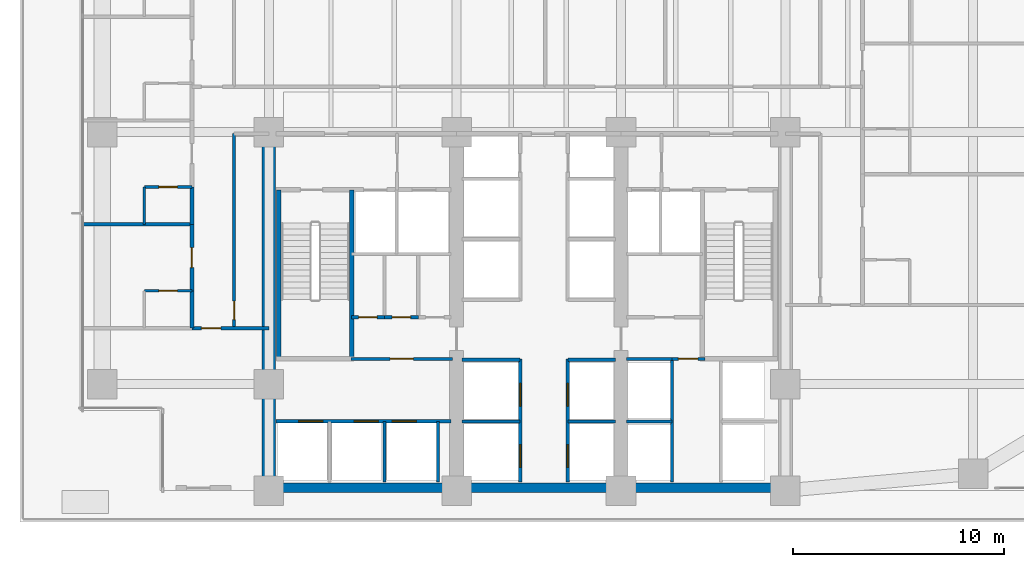
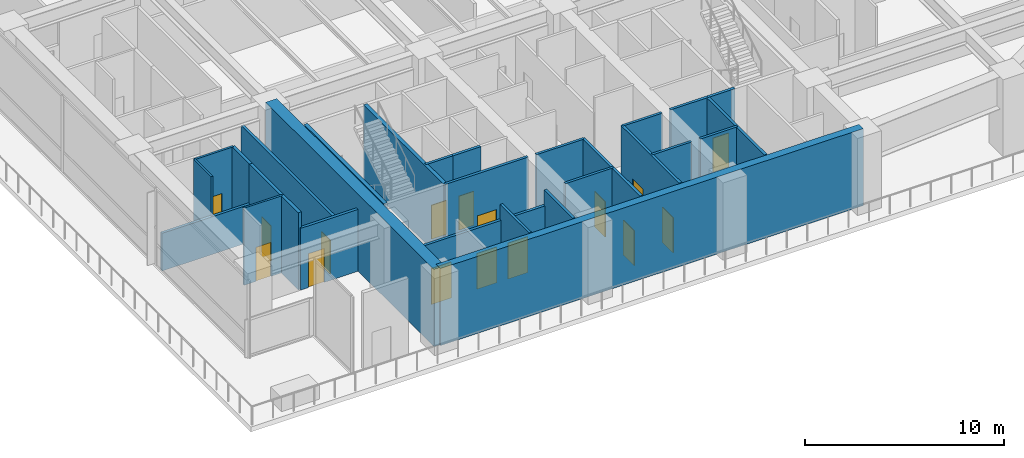
# One storey, part 7 of 19: 29 walls, 16 doors, 16 openings.
"""IFC4 building model written with IfcOpenShell, lengths in metres."""

import ifcopenshell
import ifcopenshell.guid

model = None  # the IFC model being written
_history = None  # IfcOwnerHistory: only IFC2X3 demands one
_inside = {}  # id of a spatial element -> (the spatial element, [elements in it])
_under = {}  # id of a project, library or spatial element -> (it, [spatial elements below it])
_declared = {}  # id of a project -> (the project, [libraries it declares])
_typed = {}  # id of a type object -> (the type object, [elements of that type])
_made_of = {}  # id of a material, layer set ... -> (it, [elements and type objects made of it])


def new_model(schema):
    """Start an empty IFC model of exactly this schema.

    Asked for "IFC4X3", IfcOpenShell would pick the latest addendum, in which some entities
    have other attributes; the version numbers below select the first issue.
    IFC2X3 requires an IfcOwnerHistory on every rooted entity: one is made here for all.
    """
    global model, _history
    if schema == "IFC4X3":
        model = ifcopenshell.file(schema_version=(4, 3, 0, 0))
    else:
        model = ifcopenshell.file(schema=schema)
    _inside.clear()
    _under.clear()
    _declared.clear()
    _typed.clear()
    _made_of.clear()
    _history = None
    if model.schema == "IFC2X3":
        org = make("IfcOrganization", Name="unknown")
        user = make(
            "IfcPersonAndOrganization",
            ThePerson=make("IfcPerson", FamilyName="unknown"),
            TheOrganization=org,
        )
        app = make(
            "IfcApplication",
            ApplicationDeveloper=org,
            Version="unknown",
            ApplicationFullName="unknown",
            ApplicationIdentifier="unknown",
        )
        _history = make(
            "IfcOwnerHistory",
            OwningUser=user,
            OwningApplication=app,
            ChangeAction="ADDED",
            CreationDate=0,
        )
    return model


def make(cls, **values):
    """One entity of the class cls with the attributes given. An attribute that is None is left unset."""
    return model.create_entity(
        cls, **{name: value for name, value in values.items() if value is not None}
    )


def rooted(cls, **values):
    """An entity with a GlobalId (a new one), such as an element, a storey or a relation."""
    return make(cls, GlobalId=ifcopenshell.guid.new(), OwnerHistory=_history, **values)


def si_unit(unit_type, name, prefix=None):
    """IfcSIUnit, for example si_unit("LENGTHUNIT", "METRE", prefix="MILLI")."""
    return make("IfcSIUnit", UnitType=unit_type, Prefix=prefix, Name=name)


def assignment(units):
    """IfcUnitAssignment: the units of a project."""
    return None if units is None else make("IfcUnitAssignment", Units=units)


def point(xyz):
    """IfcCartesianPoint."""
    return None if xyz is None else make("IfcCartesianPoint", Coordinates=xyz)


def direction(xyz):
    """IfcDirection."""
    return None if xyz is None else make("IfcDirection", DirectionRatios=xyz)


def frame(location, z_axis=None, x_axis=None):
    """IfcAxis2Placement3D, a coordinate frame: its origin and axes. An axis left out is left unset."""
    return make(
        "IfcAxis2Placement3D",
        Location=point(location),
        Axis=direction(z_axis),
        RefDirection=direction(x_axis),
    )


def frame_2d(location, x_axis=None):
    """IfcAxis2Placement2D, a coordinate frame in the plane: its origin and x axis."""
    return make(
        "IfcAxis2Placement2D", Location=point(location), RefDirection=direction(x_axis)
    )


def origin():
    """The frame at (0, 0, 0) with its axes left unset."""
    return frame((0.0, 0.0, 0.0))


def place(relative_to, where):
    """IfcLocalPlacement: puts the frame where relative to a parent placement (None: the world)."""
    return make(
        "IfcLocalPlacement", PlacementRelTo=relative_to, RelativePlacement=where
    )


def context(
    kind, dimensions, precision=None, world=None, true_north=None, identifier=None
):
    """IfcGeometricRepresentationContext, for example the 3D "Model" context."""
    return make(
        "IfcGeometricRepresentationContext",
        ContextIdentifier=identifier,
        ContextType=kind,
        CoordinateSpaceDimension=dimensions,
        Precision=precision,
        WorldCoordinateSystem=world,
        TrueNorth=true_north,
    )


def subcontext(parent, identifier, kind, view, scale=None):
    """IfcGeometricRepresentationSubContext, for example "Body" below "Model"."""
    return make(
        "IfcGeometricRepresentationSubContext",
        ContextIdentifier=identifier,
        ContextType=kind,
        ParentContext=parent,
        TargetScale=scale,
        TargetView=view,
    )


def project(units=None, contexts=None):
    """IfcProject with its units and contexts."""
    return rooted(
        "IfcProject",
        Name="project",
        RepresentationContexts=contexts,
        UnitsInContext=assignment(units),
    )


def spatial(cls, under=None, at=None, **own):
    """A site, building, storey or space (cls), placed at a placement, below another one or the project."""
    s = rooted(cls, ObjectPlacement=at, **own)
    if under is not None:
        _under.setdefault(under.id(), (under, []))[1].append(s)
    return s


def profile(cls, at=None, kind="AREA", **sizes):
    """A parametric profile (cls). Its sizes go by their IFC names, for example OverallWidth=200.0."""
    return make(cls, ProfileType=kind, Position=at, **sizes)


def rectangle(**sizes):
    """IfcRectangleProfileDef."""
    return profile("IfcRectangleProfileDef", **sizes)


def extrude(swept, where, along, depth):
    """IfcExtrudedAreaSolid: the profile swept, set in the frame where, extruded along a direction by depth."""
    return make(
        "IfcExtrudedAreaSolid",
        SweptArea=swept,
        Position=where,
        ExtrudedDirection=direction(along),
        Depth=depth,
    )


def shape(context_of_items, identifier, shape_type, items):
    """IfcShapeRepresentation: the items that make up one representation, for example the "Body"."""
    return make(
        "IfcShapeRepresentation",
        ContextOfItems=context_of_items,
        RepresentationIdentifier=identifier,
        RepresentationType=shape_type,
        Items=items,
    )


def material(Name=None, Category=None):
    """IfcMaterial."""
    return make("IfcMaterial", Name=Name, Category=Category)


def layer(
    of_material, thickness, ventilated=None, Name=None, Category=None, Priority=None
):
    """IfcMaterialLayer: one layer of a wall or slab, of a material (None: an air gap)."""
    return make(
        "IfcMaterialLayer",
        Material=of_material,
        LayerThickness=thickness,
        IsVentilated=ventilated,
        Name=Name,
        Category=Category,
        Priority=Priority,
    )


def layer_set(layers, Name=None):
    """IfcMaterialLayerSet."""
    return make("IfcMaterialLayerSet", MaterialLayers=layers, LayerSetName=Name)


def made_of(thing, what):
    """Note that an element or type object is made of a material, layer set ...; save() writes the relation."""
    if what is not None:
        _made_of.setdefault(what.id(), (what, []))[1].append(thing)
    return thing


def type_object(cls, material=None, **own):
    """A type object (cls), such as IfcWallType, which elements share."""
    return made_of(rooted(cls, **own), material)


def element(
    cls,
    number,
    at=None,
    inside=None,
    cuts=None,
    type_object=None,
    material=None,
    context=None,
    identifier="Body",
    shape_type=None,
    held_by="IfcProductDefinitionShape",
    body=None,
    shapes=None,
    **own,
):
    """One element of the class cls, such as IfcWall. Its Tag is "e" and its number.

    at: its placement. inside: the storey or other place that contains it. cuts: it is an
    opening in that element (IfcRelVoidsElement). A single representation is given by context,
    identifier, shape_type and body (its items); several are given by shapes. held_by: the class
    of the entity that holds the representations. save() writes the other relations.
    """
    e = rooted(cls, Tag="e%d" % number, ObjectPlacement=at, **own)
    if body is not None:
        shapes = [shape(context, identifier, shape_type, body)]
    if shapes is not None:
        e.Representation = make(held_by, Representations=shapes)
    if inside is not None:
        _inside.setdefault(inside.id(), (inside, []))[1].append(e)
    if cuts is not None:
        rooted(
            "IfcRelVoidsElement", RelatingBuildingElement=cuts, RelatedOpeningElement=e
        )
    if type_object is not None:
        _typed.setdefault(type_object.id(), (type_object, []))[1].append(e)
    return made_of(e, material)


def fill(opening, filler):
    """IfcRelFillsElement: the door or window that sits in an opening."""
    return rooted(
        "IfcRelFillsElement",
        RelatingOpeningElement=opening,
        RelatedBuildingElement=filler,
    )


def aggregate(whole, parts):
    """IfcRelAggregates: a whole, such as a stair, and the parts it consists of."""
    return rooted("IfcRelAggregates", RelatingObject=whole, RelatedObjects=parts)


def save(model, path):
    """Write the relations noted so far, then the file.

    IfcRelAggregates (storeys below a building ...), IfcRelContainedInSpatialStructure (elements
    in a storey), IfcRelDefinesByType, IfcRelAssociatesMaterial and IfcRelDeclares: one each for
    every whole, place, type object, material and project.
    """
    for whole, parts in _under.values():
        aggregate(whole, parts)
    for where, things in _inside.values():
        rooted(
            "IfcRelContainedInSpatialStructure",
            RelatedElements=things,
            RelatingStructure=where,
        )
    for kind, things in _typed.values():
        rooted("IfcRelDefinesByType", RelatedObjects=things, RelatingType=kind)
    for what, things in _made_of.values():
        rooted("IfcRelAssociatesMaterial", RelatedObjects=things, RelatingMaterial=what)
    for by, libraries in _declared.values():
        rooted("IfcRelDeclares", RelatingContext=by, RelatedDefinitions=libraries)
    model.write(path)


model = new_model("IFC4")

# Units and contexts
model_context = context("Model", 3, precision=1e-05, world=origin(), true_north=direction((0.0, 1.0)))
body_context = subcontext(model_context, "Body", "Model", "MODEL_VIEW")
ifc_project = project(units=[si_unit("LENGTHUNIT", "METRE"), si_unit("AREAUNIT", "SQUARE_METRE"), si_unit("VOLUMEUNIT", "CUBIC_METRE"), si_unit("PLANEANGLEUNIT", "RADIAN"), si_unit("MASSUNIT", "GRAM", prefix="KILO")], contexts=[model_context])

# Site, building, storey
site_placement = place(None, origin())
site = spatial("IfcSite", under=ifc_project, at=site_placement, CompositionType="ELEMENT")
building_placement = place(site_placement, origin())
building = spatial("IfcBuilding", under=site, at=building_placement, Name="Qalmaran Belvedere Hotel", CompositionType="ELEMENT")
storey_placement = place(building_placement, frame((0.0, 0.0, 28.39990234375)))
storey = spatial("IfcBuildingStorey", under=building, at=storey_placement, Name="L06", CompositionType="ELEMENT", Elevation=28.39990234375)

# Walls
ifc_material_1 = material(Name="Concrete C60/75", Category="concrete")
ifc_layer_1 = layer(ifc_material_1, 0.64990234375, Name="Concrete C60/75")
ifc_layer_set_1 = layer_set([ifc_layer_1], Name="Concrete C60/75")
wall_type_1 = type_object("IfcWallType", Name="WL-CORE-650-C60", PredefinedType="SHEAR", material=ifc_layer_set_1)
wall_1_placement = place(storey_placement, frame((20.300048828125, 3.5, 0.0), z_axis=(0.0, 0.0, 1.0), x_axis=(0.0, 1.0, 0.0)))
element("IfcWall", 1, at=wall_1_placement, inside=storey, type_object=wall_type_1, Name="L06 West Core Shear Wall", PredefinedType="SHEAR", context=body_context, shape_type="SweptSolid", body=[
    extrude(rectangle(XDim=16.89990234375, YDim=0.64990234375, at=frame_2d((8.449951171875, 0.0))), origin(), (0.0, 0.0, 1.0), 4.72021484375),
])
ifc_material_2 = material(Name="Concrete C50/60", Category="concrete")
ifc_layer_2 = layer(ifc_material_2, 0.43994140625, Name="Concrete C50/60")
ifc_layer_set_2 = layer_set([ifc_layer_2], Name="Concrete C50/60")
wall_type_2 = type_object("IfcWallType", Name="WL-CORES-440-EXT", PredefinedType="SHEAR", material=ifc_layer_set_2)
wall_2_placement = place(storey_placement, frame((20.300048828125, 3.6298828125, 0.0), z_axis=(0.0, 0.0, 1.0), x_axis=(1.0, 0.0, 0.0)))
element("IfcWall", 2, at=wall_2_placement, inside=storey, type_object=wall_type_2, Name="L06 South Core Shear Wall", PredefinedType="SHEAR", context=body_context, shape_type="SweptSolid", body=[
    extrude(rectangle(XDim=24.5, YDim=0.43994140625, at=frame_2d((12.25, 0.0))), origin(), (0.0, 0.0, 1.0), 4.72021484375),
])

# Wall, opening, door
ifc_material_3 = material(Name="Moisture-Resistant Gypsum")
ifc_layer_3 = layer(ifc_material_3, 0.1201171875, Name="Moisture-Resistant Gypsum")
ifc_layer_set_3 = layer_set([ifc_layer_3], Name="Moisture-Resistant Gypsum")
wall_type_3 = type_object("IfcWallType", Name="WL-INT-120-BATH", PredefinedType="PARTITIONING", material=ifc_layer_set_3)
wall_3_placement = place(storey_placement, frame((14.39990234375, 12.969970703125, 0.0), z_axis=(0.0, 0.0, 1.0), x_axis=(1.0, 0.0, 0.0)))
wall_3 = element("IfcWall", 3, at=wall_3_placement, inside=storey, type_object=wall_type_3, Name="L06 Partition WL-L06-WBN00", PredefinedType="PARTITIONING", context=body_context, shape_type="SweptSolid", body=[
    extrude(rectangle(XDim=2.25, YDim=0.1201171875, at=frame_2d((1.125, 0.0))), origin(), (0.0, 0.0, 1.0), 4.72021484375),
])
opening_1_placement = place(wall_3_placement, frame((1.56494140625, 0.0, 0.0), z_axis=(0.0, 0.0, 1.0), x_axis=(-1.0, 0.0, 0.0)))
opening_1 = element("IfcOpeningElement", 4, at=opening_1_placement, cuts=wall_3, Name="Opening D-BATH", PredefinedType="OPENING", context=body_context, shape_type="SweptSolid", body=[
    extrude(rectangle(XDim=0.8798828125, YDim=2.080078125, at=frame_2d((0.43994140625, 1.0400390625))), frame((0.0, 0.070068359375, 0.0), z_axis=(0.0, -1.0, 0.0), x_axis=(1.0, 0.0, 0.0)), (0.0, 0.0, 1.0), 0.14013671875),
])
ifc_material_4 = material(Name="Engineered Oak Veneer")
door_type_1 = type_object("IfcDoorType", Name="DR-INT-BATH-880X2080", OperationType="NOTDEFINED", PredefinedType="DOOR", material=ifc_material_4)
door_1_placement = place(opening_1_placement, origin())
door_1 = element("IfcDoor", 5, at=door_1_placement, inside=storey, type_object=door_type_1, Name="L06 W Ensuite Door 01", OperationType="SINGLE_SWING_LEFT", OverallHeight=2.080078125, OverallWidth=0.8798828125, PredefinedType="DOOR", context=body_context, shape_type="SweptSolid", body=[
    extrude(rectangle(XDim=0.8798828125, YDim=2.080078125, at=frame_2d((0.43994140625, 1.0400390625))), frame((0.0, 0.02490234375, 0.0), z_axis=(0.0, -1.0, 0.0), x_axis=(1.0, 0.0, 0.0)), (0.0, 0.0, 1.0), 0.050048828125),
])
fill(opening_1, door_1)

wall_4_placement = place(storey_placement, frame((14.39990234375, 17.89501953125, 0.0), z_axis=(0.0, 0.0, 1.0), x_axis=(1.0, 0.0, 0.0)))
wall_4 = element("IfcWall", 6, at=wall_4_placement, inside=storey, type_object=wall_type_3, Name="L06 Partition WL-L06-WBN01", PredefinedType="PARTITIONING", context=body_context, shape_type="SweptSolid", body=[
    extrude(rectangle(XDim=2.25, YDim=0.1201171875, at=frame_2d((1.125, 0.0))), origin(), (0.0, 0.0, 1.0), 4.72021484375),
])
opening_2_placement = place(wall_4_placement, frame((1.56494140625, 0.0, 0.0), z_axis=(0.0, 0.0, 1.0), x_axis=(-1.0, 0.0, 0.0)))
opening_2 = element("IfcOpeningElement", 7, at=opening_2_placement, cuts=wall_4, Name="Opening D-BATH", PredefinedType="OPENING", context=body_context, shape_type="SweptSolid", body=[
    extrude(rectangle(XDim=0.8798828125, YDim=2.080078125, at=frame_2d((0.43994140625, 1.0400390625))), frame((0.0, 0.070068359375, 0.0), z_axis=(0.0, -1.0, 0.0), x_axis=(1.0, 0.0, 0.0)), (0.0, 0.0, 1.0), 0.14013671875),
])
door_2_placement = place(opening_2_placement, origin())
door_2 = element("IfcDoor", 8, at=door_2_placement, inside=storey, type_object=door_type_1, Name="L06 W Ensuite Door 02", OperationType="SINGLE_SWING_LEFT", OverallHeight=2.080078125, OverallWidth=0.8798828125, PredefinedType="DOOR", context=body_context, shape_type="SweptSolid", body=[
    extrude(rectangle(XDim=0.8798828125, YDim=2.080078125, at=frame_2d((0.43994140625, 1.0400390625))), frame((0.0, 0.02490234375, 0.0), z_axis=(0.0, -1.0, 0.0), x_axis=(1.0, 0.0, 0.0)), (0.0, 0.0, 1.0), 0.050048828125),
])
fill(opening_2, door_2)

# Walls
wall_5_placement = place(storey_placement, frame((14.39990234375, 16.125, 0.0), z_axis=(0.0, 0.0, 1.0), x_axis=(0.0, 1.0, 0.0)))
element("IfcWall", 9, at=wall_5_placement, inside=storey, type_object=wall_type_3, Name="L06 Partition WL-L06-WBS01", PredefinedType="PARTITIONING", context=body_context, shape_type="SweptSolid", body=[
    extrude(rectangle(XDim=1.77001953125, YDim=0.1201171875, at=frame_2d((0.885009765625, 0.0))), origin(), (0.0, 0.0, 1.0), 4.72021484375),
])
ifc_material_5 = material(Name="Gypsum Stud Partition")
ifc_layer_4 = layer(ifc_material_5, 0.14990234375, Name="Gypsum Stud Partition")
ifc_layer_set_4 = layer_set([ifc_layer_4], Name="Gypsum Stud Partition")
wall_type_4 = type_object("IfcWallType", Name="WL-INT-150-EI120", PredefinedType="PARTITIONING", material=ifc_layer_set_4)
for number, where, z_axis, x_axis, name in (
    (10, (25.780029296875, 3.89990234375, 0.0), (0.0, 0.0, 1.0), (0.0, 1.0, 0.0), "L06 Partition WL-POM2-L06"),
    (11, (28.320068359375, 3.89990234375, 0.0), (0.0, 0.0, 1.0), (0.0, 1.0, 0.0), "L06 Partition WL-POM3-L06"),
):
    element("IfcWall", number, at=place(storey_placement, frame(where, z_axis=z_axis, x_axis=x_axis)), inside=storey, type_object=wall_type_4, Name=name, PredefinedType="PARTITIONING", context=body_context, shape_type="SweptSolid", body=[
        extrude(rectangle(XDim=2.880126953125, YDim=0.14990234375, at=frame_2d((1.43994140625, 0.0))), origin(), (0.0, 0.0, 1.0), 4.72021484375),
    ])
wall_6_placement = place(storey_placement, frame((37.25, 6.780029296875, 0.0), z_axis=(0.0, 0.0, 1.0), x_axis=(1.0, 0.0, 0.0)))
element("IfcWall", 12, at=wall_6_placement, inside=storey, type_object=wall_type_4, Name="L06 Partition WL-PHMW-L06", PredefinedType="PARTITIONING", context=body_context, shape_type="SweptSolid", body=[
    extrude(rectangle(XDim=2.169921875, YDim=0.14990234375, at=frame_2d((1.0849609375, 0.0))), origin(), (0.0, 0.0, 1.0), 4.72021484375),
])
wall_7_placement = place(storey_placement, frame((29.449951171875, 6.780029296875, 0.0), z_axis=(0.0, 0.0, 1.0), x_axis=(1.0, 0.0, 0.0)))
element("IfcWall", 13, at=wall_7_placement, inside=storey, type_object=wall_type_4, Name="L06 Partition WL-PLW-L06-67", PredefinedType="PARTITIONING", context=body_context, shape_type="SweptSolid", body=[
    extrude(rectangle(XDim=2.77001953125, YDim=0.14990234375, at=frame_2d((1.385009765625, 0.0))), origin(), (0.0, 0.0, 1.0), 4.72021484375),
])
wall_8_placement = place(storey_placement, frame((34.47998046875, 6.780029296875, 0.0), z_axis=(0.0, 0.0, 1.0), x_axis=(1.0, 0.0, 0.0)))
element("IfcWall", 14, at=wall_8_placement, inside=storey, type_object=wall_type_4, Name="L06 Partition WL-PLE-L06-67", PredefinedType="PARTITIONING", context=body_context, shape_type="SweptSolid", body=[
    extrude(rectangle(XDim=2.27001953125, YDim=0.14990234375, at=frame_2d((1.135009765625, 0.0))), origin(), (0.0, 0.0, 1.0), 4.72021484375),
])
wall_9_placement = place(storey_placement, frame((29.449951171875, 9.699951171875, 0.0), z_axis=(0.0, 0.0, 1.0), x_axis=(1.0, 0.0, 0.0)))
element("IfcWall", 15, at=wall_9_placement, inside=storey, type_object=wall_type_4, Name="L06 Partition WL-PLW-L06-97", PredefinedType="PARTITIONING", context=body_context, shape_type="SweptSolid", body=[
    extrude(rectangle(XDim=2.77001953125, YDim=0.14990234375, at=frame_2d((1.385009765625, 0.0))), origin(), (0.0, 0.0, 1.0), 4.72021484375),
])
wall_10_placement = place(storey_placement, frame((34.47998046875, 9.699951171875, 0.0), z_axis=(0.0, 0.0, 1.0), x_axis=(1.0, 0.0, 0.0)))
element("IfcWall", 16, at=wall_10_placement, inside=storey, type_object=wall_type_4, Name="L06 Partition WL-PLE-L06-97", PredefinedType="PARTITIONING", context=body_context, shape_type="SweptSolid", body=[
    extrude(rectangle(XDim=2.27001953125, YDim=0.14990234375, at=frame_2d((1.135009765625, 0.0))), origin(), (0.0, 0.0, 1.0), 4.72021484375),
])

# Wall, openings, doors
ifc_layer_5 = layer(ifc_material_5, 0.159912109375, Name="Gypsum Stud Partition")
ifc_layer_set_5 = layer_set([ifc_layer_5], Name="Gypsum Stud Partition")
wall_type_5 = type_object("IfcWallType", Name="WL-INT-160-EI120", PredefinedType="PARTITIONING", material=ifc_layer_set_5)
wall_11_placement = place(storey_placement, frame((20.64990234375, 6.780029296875, 0.0), z_axis=(0.0, 0.0, 1.0), x_axis=(1.0, 0.0, 0.0)))
wall_11 = element("IfcWall", 17, at=wall_11_placement, inside=storey, type_object=wall_type_5, Name="L06 Partition WL-POS-L06", PredefinedType="PARTITIONING", context=body_context, shape_type="SweptSolid", body=[
    extrude(rectangle(XDim=8.300048828125, YDim=0.159912109375, at=frame_2d((4.14990234375, 0.0))), origin(), (0.0, 0.0, 1.0), 3.7841796875),
])
opening_3_placement = place(wall_11_placement, frame((3.69482421875, 0.0, 0.0)))
opening_3 = element("IfcOpeningElement", 18, at=opening_3_placement, cuts=wall_11, Name="Opening LD-PO", PredefinedType="OPENING", context=body_context, shape_type="SweptSolid", body=[
    extrude(rectangle(XDim=1.14990234375, YDim=2.199951171875, at=frame_2d((0.574951171875, 1.10009765625))), frame((0.0, 0.08984375, 0.0), z_axis=(0.0, -1.0, 0.0), x_axis=(1.0, 0.0, 0.0)), (0.0, 0.0, 1.0), 0.179931640625),
])
opening_4_placement = place(wall_11_placement, frame((5.4921875, 0.0, 0.0)))
opening_4 = element("IfcOpeningElement", 19, at=opening_4_placement, cuts=wall_11, Name="Opening LD-PO", PredefinedType="OPENING", context=body_context, shape_type="SweptSolid", body=[
    extrude(rectangle(XDim=1.14990234375, YDim=2.199951171875, at=frame_2d((0.574951171875, 1.10009765625))), frame((0.0, 0.08984375, 0.0), z_axis=(0.0, -1.0, 0.0), x_axis=(1.0, 0.0, 0.0)), (0.0, 0.0, 1.0), 0.179931640625),
])
opening_5_placement = place(wall_11_placement, frame((1.058837890625, 0.0, 0.0)))
opening_5 = element("IfcOpeningElement", 20, at=opening_5_placement, cuts=wall_11, Name="Opening LD-PO", PredefinedType="OPENING", context=body_context, shape_type="SweptSolid", body=[
    extrude(rectangle(XDim=1.14990234375, YDim=2.199951171875, at=frame_2d((0.574951171875, 1.10009765625))), frame((0.0, 0.08984375, 0.0), z_axis=(0.0, -1.0, 0.0), x_axis=(1.0, 0.0, 0.0)), (0.0, 0.0, 1.0), 0.179931640625),
])
ifc_material_6 = material(Name="Anodised Bronze Aluminium", Category="aluminium")
door_type_2 = type_object("IfcDoorType", Name="DR-LIFT-PO-1150X2200", OperationType="DOUBLE_DOOR_SLIDING", PredefinedType="DOOR", material=ifc_material_6)
door_3_placement = place(opening_3_placement, origin())
door_3 = element("IfcDoor", 21, at=door_3_placement, inside=storey, type_object=door_type_2, Name="L06 PO1 Shuttle Landing Door", OperationType="DOUBLE_DOOR_SLIDING", OverallHeight=2.199951171875, OverallWidth=1.14990234375, PredefinedType="DOOR", context=body_context, shape_type="SweptSolid", body=[
    extrude(rectangle(XDim=1.14990234375, YDim=2.199951171875, at=frame_2d((0.574951171875, 1.10009765625))), frame((0.0, 0.02490234375, 0.0), z_axis=(0.0, -1.0, 0.0), x_axis=(1.0, 0.0, 0.0)), (0.0, 0.0, 1.0), 0.050048828125),
])
fill(opening_3, door_3)
door_4_placement = place(opening_4_placement, origin())
door_4 = element("IfcDoor", 22, at=door_4_placement, inside=storey, type_object=door_type_2, Name="L06 PO2 Shuttle Landing Door", OperationType="DOUBLE_DOOR_SLIDING", OverallHeight=2.199951171875, OverallWidth=1.14990234375, PredefinedType="DOOR", context=body_context, shape_type="SweptSolid", body=[
    extrude(rectangle(XDim=1.14990234375, YDim=2.199951171875, at=frame_2d((0.574951171875, 1.10009765625))), frame((0.0, 0.02490234375, 0.0), z_axis=(0.0, -1.0, 0.0), x_axis=(1.0, 0.0, 0.0)), (0.0, 0.0, 1.0), 0.050048828125),
])
fill(opening_4, door_4)
door_5_placement = place(opening_5_placement, origin())
door_5 = element("IfcDoor", 23, at=door_5_placement, inside=storey, type_object=door_type_2, Name="L06 PO3 Shuttle Landing Door", OperationType="DOUBLE_DOOR_SLIDING", OverallHeight=2.199951171875, OverallWidth=1.14990234375, PredefinedType="DOOR", context=body_context, shape_type="SweptSolid", body=[
    extrude(rectangle(XDim=1.14990234375, YDim=2.199951171875, at=frame_2d((0.574951171875, 1.10009765625))), frame((0.0, 0.02490234375, 0.0), z_axis=(0.0, -1.0, 0.0), x_axis=(1.0, 0.0, 0.0)), (0.0, 0.0, 1.0), 0.050048828125),
])
fill(opening_5, door_5)

# Wall, opening, door
wall_12_placement = place(storey_placement, frame((24.199951171875, 9.739990234375, 0.0), z_axis=(0.0, 0.0, 1.0), x_axis=(1.0, 0.0, 0.0)))
wall_12 = element("IfcWall", 24, at=wall_12_placement, inside=storey, type_object=wall_type_5, Name="L06 Partition WL-PON-L06", PredefinedType="PARTITIONING", context=body_context, shape_type="SweptSolid", body=[
    extrude(rectangle(XDim=4.800048828125, YDim=0.159912109375, at=frame_2d((2.39990234375, 0.0))), origin(), (0.0, 0.0, 1.0), 4.72021484375),
])
opening_6_placement = place(wall_12_placement, frame((1.85009765625, 0.0, 0.0)))
opening_6 = element("IfcOpeningElement", 25, at=opening_6_placement, cuts=wall_12, Name="Opening FD90", PredefinedType="OPENING", context=body_context, shape_type="SweptSolid", body=[
    extrude(rectangle(XDim=1.10009765625, YDim=2.14990234375, at=frame_2d((0.550048828125, 1.074951171875))), frame((0.0, 0.08984375, 0.0), z_axis=(0.0, -1.0, 0.0), x_axis=(1.0, 0.0, 0.0)), (0.0, 0.0, 1.0), 0.179931640625),
])
ifc_material_7 = material(Name="Steel S355JR", Category="steel")
door_type_3 = type_object("IfcDoorType", Name="DR-FD90-1100X2150", OperationType="NOTDEFINED", PredefinedType="DOOR", material=ifc_material_7)
door_6_placement = place(opening_6_placement, origin())
door_6 = element("IfcDoor", 26, at=door_6_placement, inside=storey, type_object=door_type_3, Name="L06 Shuttle Lobby Passage Door", OperationType="SINGLE_SWING_RIGHT", OverallHeight=2.14990234375, OverallWidth=1.10009765625, PredefinedType="DOOR", context=body_context, shape_type="SweptSolid", body=[
    extrude(rectangle(XDim=1.10009765625, YDim=2.14990234375, at=frame_2d((0.550048828125, 1.074951171875))), frame((0.0, 0.02490234375, 0.0), z_axis=(0.0, -1.0, 0.0), x_axis=(1.0, 0.0, 0.0)), (0.0, 0.0, 1.0), 0.050048828125),
])
fill(opening_6, door_6)

# Walls
wall_13_placement = place(storey_placement, frame((39.419921875, 3.89990234375, 0.0), z_axis=(0.0, 0.0, 1.0), x_axis=(0.0, 1.0, 0.0)))
element("IfcWall", 27, at=wall_13_placement, inside=storey, type_object=wall_type_5, Name="L06 Partition WL-PHW-L06", PredefinedType="PARTITIONING", context=body_context, shape_type="SweptSolid", body=[
    extrude(rectangle(XDim=5.840087890625, YDim=0.159912109375, at=frame_2d((2.919921875, 0.0))), origin(), (0.0, 0.0, 1.0), 4.72021484375),
])
wall_14_placement = place(storey_placement, frame((37.25, 9.739990234375, 0.0), z_axis=(0.0, 0.0, 1.0), x_axis=(1.0, 0.0, 0.0)))
element("IfcWall", 28, at=wall_14_placement, inside=storey, type_object=wall_type_5, Name="L06 Partition WL-PHNW-L06", PredefinedType="PARTITIONING", context=body_context, shape_type="SweptSolid", body=[
    extrude(rectangle(XDim=2.169921875, YDim=0.159912109375, at=frame_2d((1.0849609375, 0.0))), origin(), (0.0, 0.0, 1.0), 4.72021484375),
])

# Wall, opening, door
wall_15_placement = place(storey_placement, frame((39.419921875, 9.739990234375, 0.0), z_axis=(0.0, 0.0, 1.0), x_axis=(1.0, 0.0, 0.0)))
wall_15 = element("IfcWall", 29, at=wall_15_placement, inside=storey, type_object=wall_type_5, Name="L06 Partition WL-PHNL-L06", PredefinedType="PARTITIONING", context=body_context, shape_type="SweptSolid", body=[
    extrude(rectangle(XDim=1.56005859375, YDim=0.159912109375, at=frame_2d((0.780029296875, 0.0))), origin(), (0.0, 0.0, 1.0), 4.72021484375),
])
opening_7_placement = place(wall_15_placement, frame((0.300048828125, 0.0, 0.0)))
opening_7 = element("IfcOpeningElement", 30, at=opening_7_placement, cuts=wall_15, Name="Opening FD60S1", PredefinedType="OPENING", context=body_context, shape_type="SweptSolid", body=[
    extrude(rectangle(XDim=0.919921875, YDim=2.080078125, at=frame_2d((0.4599609375, 1.0400390625))), frame((0.0, 0.08984375, 0.0), z_axis=(0.0, -1.0, 0.0), x_axis=(1.0, 0.0, 0.0)), (0.0, 0.0, 1.0), 0.179931640625),
])
door_type_4 = type_object("IfcDoorType", Name="DR-FD60S-920X2080", OperationType="NOTDEFINED", PredefinedType="DOOR", material=ifc_material_4)
door_7_placement = place(opening_7_placement, origin())
door_7 = element("IfcDoor", 31, at=door_7_placement, inside=storey, type_object=door_type_4, Name="L06 High-Rise Lift Lobby Passage Door", OperationType="SINGLE_SWING_LEFT", OverallHeight=2.080078125, OverallWidth=0.919921875, PredefinedType="DOOR", context=body_context, shape_type="SweptSolid", body=[
    extrude(rectangle(XDim=0.919921875, YDim=2.080078125, at=frame_2d((0.4599609375, 1.0400390625))), frame((0.0, 0.02490234375, 0.0), z_axis=(0.0, -1.0, 0.0), x_axis=(1.0, 0.0, 0.0)), (0.0, 0.0, 1.0), 0.050048828125),
])
fill(opening_7, door_7)

# Wall, openings, doors
wall_16_placement = place(storey_placement, frame((32.219970703125, 3.89990234375, 0.0), z_axis=(0.0, 0.0, 1.0), x_axis=(0.0, 1.0, 0.0)))
wall_16 = element("IfcWall", 32, at=wall_16_placement, inside=storey, type_object=wall_type_5, Name="L06 Partition WL-CLBWS-L06", PredefinedType="PARTITIONING", context=body_context, shape_type="SweptSolid", body=[
    extrude(rectangle(XDim=5.840087890625, YDim=0.159912109375, at=frame_2d((2.919921875, 0.0))), origin(), (0.0, 0.0, 1.0), 4.72021484375),
])
opening_8_placement = place(wall_16_placement, frame((1.780029296875, 0.0, 0.0), z_axis=(0.0, 0.0, 1.0), x_axis=(-1.0, 0.0, 0.0)))
opening_8 = element("IfcOpeningElement", 33, at=opening_8_placement, cuts=wall_16, Name="Opening LD-P1", PredefinedType="OPENING", context=body_context, shape_type="SweptSolid", body=[
    extrude(rectangle(XDim=1.080078125, YDim=2.159912109375, at=frame_2d((0.5400390625, 1.080078125))), frame((0.0, 0.08984375, 0.0), z_axis=(0.0, -1.0, 0.0), x_axis=(1.0, 0.0, 0.0)), (0.0, 0.0, 1.0), 0.179931640625),
])
opening_9_placement = place(wall_16_placement, frame((4.68017578125, 0.0, 0.0), z_axis=(0.0, 0.0, 1.0), x_axis=(-1.0, 0.0, 0.0)))
opening_9 = element("IfcOpeningElement", 34, at=opening_9_placement, cuts=wall_16, Name="Opening LD-P1", PredefinedType="OPENING", context=body_context, shape_type="SweptSolid", body=[
    extrude(rectangle(XDim=1.080078125, YDim=2.159912109375, at=frame_2d((0.5400390625, 1.080078125))), frame((0.0, 0.08984375, 0.0), z_axis=(0.0, -1.0, 0.0), x_axis=(1.0, 0.0, 0.0)), (0.0, 0.0, 1.0), 0.179931640625),
])
ifc_material_8 = material(Name="Stainless Steel 1.4401", Category="steel")
door_type_5 = type_object("IfcDoorType", Name="DR-LIFT-P1-1080X2160", OperationType="DOUBLE_DOOR_SLIDING", PredefinedType="DOOR", material=ifc_material_8)
door_8_placement = place(opening_8_placement, origin())
door_8 = element("IfcDoor", 35, at=door_8_placement, inside=storey, type_object=door_type_5, Name="L06 PL1 Lift Landing Door", OperationType="DOUBLE_DOOR_SLIDING", OverallHeight=2.159912109375, OverallWidth=1.080078125, PredefinedType="DOOR", context=body_context, shape_type="SweptSolid", body=[
    extrude(rectangle(XDim=1.080078125, YDim=2.159912109375, at=frame_2d((0.5400390625, 1.080078125))), frame((0.0, 0.02490234375, 0.0), z_axis=(0.0, -1.0, 0.0), x_axis=(1.0, 0.0, 0.0)), (0.0, 0.0, 1.0), 0.050048828125),
])
fill(opening_8, door_8)
door_9_placement = place(opening_9_placement, origin())
door_9 = element("IfcDoor", 36, at=door_9_placement, inside=storey, type_object=door_type_5, Name="L06 PL2 Lift Landing Door", OperationType="DOUBLE_DOOR_SLIDING", OverallHeight=2.159912109375, OverallWidth=1.080078125, PredefinedType="DOOR", context=body_context, shape_type="SweptSolid", body=[
    extrude(rectangle(XDim=1.080078125, YDim=2.159912109375, at=frame_2d((0.5400390625, 1.080078125))), frame((0.0, 0.02490234375, 0.0), z_axis=(0.0, -1.0, 0.0), x_axis=(1.0, 0.0, 0.0)), (0.0, 0.0, 1.0), 0.050048828125),
])
fill(opening_9, door_9)

wall_17_placement = place(storey_placement, frame((34.47998046875, 3.89990234375, 0.0), z_axis=(0.0, 0.0, 1.0), x_axis=(0.0, 1.0, 0.0)))
wall_17 = element("IfcWall", 37, at=wall_17_placement, inside=storey, type_object=wall_type_5, Name="L06 Partition WL-CLBES-L06", PredefinedType="PARTITIONING", context=body_context, shape_type="SweptSolid", body=[
    extrude(rectangle(XDim=5.840087890625, YDim=0.159912109375, at=frame_2d((2.919921875, 0.0))), origin(), (0.0, 0.0, 1.0), 4.72021484375),
])
opening_10_placement = place(wall_17_placement, frame((0.699951171875, 0.0, 0.0)))
opening_10 = element("IfcOpeningElement", 38, at=opening_10_placement, cuts=wall_17, Name="Opening LD-P1", PredefinedType="OPENING", context=body_context, shape_type="SweptSolid", body=[
    extrude(rectangle(XDim=1.080078125, YDim=2.159912109375, at=frame_2d((0.5400390625, 1.080078125))), frame((0.0, 0.08984375, 0.0), z_axis=(0.0, -1.0, 0.0), x_axis=(1.0, 0.0, 0.0)), (0.0, 0.0, 1.0), 0.179931640625),
])
opening_11_placement = place(wall_17_placement, frame((3.60009765625, 0.0, 0.0)))
opening_11 = element("IfcOpeningElement", 39, at=opening_11_placement, cuts=wall_17, Name="Opening LD-P1", PredefinedType="OPENING", context=body_context, shape_type="SweptSolid", body=[
    extrude(rectangle(XDim=1.080078125, YDim=2.159912109375, at=frame_2d((0.5400390625, 1.080078125))), frame((0.0, 0.08984375, 0.0), z_axis=(0.0, -1.0, 0.0), x_axis=(1.0, 0.0, 0.0)), (0.0, 0.0, 1.0), 0.179931640625),
])
door_10_placement = place(opening_10_placement, origin())
door_10 = element("IfcDoor", 40, at=door_10_placement, inside=storey, type_object=door_type_5, Name="L06 PL3 Lift Landing Door", OperationType="DOUBLE_DOOR_SLIDING", OverallHeight=2.159912109375, OverallWidth=1.080078125, PredefinedType="DOOR", context=body_context, shape_type="SweptSolid", body=[
    extrude(rectangle(XDim=1.080078125, YDim=2.159912109375, at=frame_2d((0.5400390625, 1.080078125))), frame((0.0, 0.02490234375, 0.0), z_axis=(0.0, -1.0, 0.0), x_axis=(1.0, 0.0, 0.0)), (0.0, 0.0, 1.0), 0.050048828125),
])
fill(opening_10, door_10)
door_11_placement = place(opening_11_placement, origin())
door_11 = element("IfcDoor", 41, at=door_11_placement, inside=storey, type_object=door_type_5, Name="L06 PL4 Lift Landing Door", OperationType="DOUBLE_DOOR_SLIDING", OverallHeight=2.159912109375, OverallWidth=1.080078125, PredefinedType="DOOR", context=body_context, shape_type="SweptSolid", body=[
    extrude(rectangle(XDim=1.080078125, YDim=2.159912109375, at=frame_2d((0.5400390625, 1.080078125))), frame((0.0, 0.02490234375, 0.0), z_axis=(0.0, -1.0, 0.0), x_axis=(1.0, 0.0, 0.0)), (0.0, 0.0, 1.0), 0.050048828125),
])
fill(opening_11, door_11)

# Wall, opening, door
ifc_layer_6 = layer(ifc_material_5, 0.159912109375, Name="Gypsum Stud Partition")
ifc_layer_set_6 = layer_set([ifc_layer_6], Name="Gypsum Stud Partition")
wall_type_6 = type_object("IfcWallType", Name="WL-INT-160-EI60", PredefinedType="PARTITIONING", material=ifc_layer_set_6)
wall_18_placement = place(storey_placement, frame((24.219970703125, 11.719970703125, 0.0), z_axis=(0.0, 0.0, 1.0), x_axis=(1.0, 0.0, 0.0)))
wall_18 = element("IfcWall", 42, at=wall_18_placement, inside=storey, type_object=wall_type_6, Name="L06 Partition WL-L06-KWE1", PredefinedType="PARTITIONING", context=body_context, shape_type="SweptSolid", body=[
    extrude(rectangle(XDim=1.56103515625, YDim=0.159912109375, at=frame_2d((0.780517578125, 0.0))), origin(), (0.0, 0.0, 1.0), 4.72021484375),
])
opening_12_placement = place(wall_18_placement, frame((0.340576171875, 0.0, 0.0)))
opening_12 = element("IfcOpeningElement", 43, at=opening_12_placement, cuts=wall_18, Name="Opening FD60B", PredefinedType="OPENING", context=body_context, shape_type="SweptSolid", body=[
    extrude(rectangle(XDim=0.8798828125, YDim=2.080078125, at=frame_2d((0.43994140625, 1.0400390625))), frame((0.0, 0.08984375, 0.0), z_axis=(0.0, -1.0, 0.0), x_axis=(1.0, 0.0, 0.0)), (0.0, 0.0, 1.0), 0.179931640625),
])
door_type_6 = type_object("IfcDoorType", Name="DR-FD60B-880X2080", OperationType="NOTDEFINED", PredefinedType="DOOR", material=ifc_material_7)
door_12_placement = place(opening_12_placement, origin())
door_12 = element("IfcDoor", 44, at=door_12_placement, inside=storey, type_object=door_type_6, Name="L06 Staff Core WC Door", OperationType="SINGLE_SWING_RIGHT", OverallHeight=2.080078125, OverallWidth=0.8798828125, PredefinedType="DOOR", context=body_context, shape_type="SweptSolid", body=[
    extrude(rectangle(XDim=0.8798828125, YDim=2.080078125, at=frame_2d((0.43994140625, 1.0400390625))), frame((0.0, 0.02490234375, 0.0), z_axis=(0.0, -1.0, 0.0), x_axis=(1.0, 0.0, 0.0)), (0.0, 0.0, 1.0), 0.050048828125),
])
fill(opening_12, door_12)

wall_19_placement = place(storey_placement, frame((25.781005859375, 11.719970703125, 0.0), z_axis=(0.0, 0.0, 1.0), x_axis=(1.0, 0.0, 0.0)))
wall_19 = element("IfcWall", 45, at=wall_19_placement, inside=storey, type_object=wall_type_6, Name="L06 Partition WL-L06-KWE2", PredefinedType="PARTITIONING", context=body_context, shape_type="SweptSolid", body=[
    extrude(rectangle(XDim=1.608154296875, YDim=0.159912109375, at=frame_2d((0.80419921875, 0.0))), origin(), (0.0, 0.0, 1.0), 4.72021484375),
])
opening_13_placement = place(wall_19_placement, frame((0.364013671875, 0.0, 0.0)))
opening_13 = element("IfcOpeningElement", 46, at=opening_13_placement, cuts=wall_19, Name="Opening FD60B", PredefinedType="OPENING", context=body_context, shape_type="SweptSolid", body=[
    extrude(rectangle(XDim=0.8798828125, YDim=2.080078125, at=frame_2d((0.43994140625, 1.0400390625))), frame((0.0, 0.08984375, 0.0), z_axis=(0.0, -1.0, 0.0), x_axis=(1.0, 0.0, 0.0)), (0.0, 0.0, 1.0), 0.179931640625),
])
door_13_placement = place(opening_13_placement, origin())
door_13 = element("IfcDoor", 47, at=door_13_placement, inside=storey, type_object=door_type_6, Name="L06 Electrical Distribution Room Door", OperationType="SINGLE_SWING_LEFT", OverallHeight=2.080078125, OverallWidth=0.8798828125, PredefinedType="DOOR", context=body_context, shape_type="SweptSolid", body=[
    extrude(rectangle(XDim=0.8798828125, YDim=2.080078125, at=frame_2d((0.43994140625, 1.0400390625))), frame((0.0, 0.02490234375, 0.0), z_axis=(0.0, -1.0, 0.0), x_axis=(1.0, 0.0, 0.0)), (0.0, 0.0, 1.0), 0.050048828125),
])
fill(opening_13, door_13)

wall_20_placement = place(storey_placement, frame((16.64990234375, 11.199951171875, 0.0), z_axis=(0.0, 0.0, 1.0), x_axis=(1.0, 0.0, 0.0)))
wall_20 = element("IfcWall", 48, at=wall_20_placement, inside=storey, type_object=wall_type_6, Name="L06 Partition WL-L06-SWRL", PredefinedType="PARTITIONING", context=body_context, shape_type="SweptSolid", body=[
    extrude(rectangle(XDim=3.650146484375, YDim=0.159912109375, at=frame_2d((1.8251953125, 0.0))), origin(), (0.0, 0.0, 1.0), 3.7841796875),
])
opening_14_placement = place(wall_20_placement, frame((1.369873046875, 0.0, 0.0), z_axis=(0.0, 0.0, 1.0), x_axis=(-1.0, 0.0, 0.0)))
opening_14 = element("IfcOpeningElement", 49, at=opening_14_placement, cuts=wall_20, Name="Opening FD60S1", PredefinedType="OPENING", context=body_context, shape_type="SweptSolid", body=[
    extrude(rectangle(XDim=0.919921875, YDim=2.080078125, at=frame_2d((0.4599609375, 1.0400390625))), frame((0.0, 0.08984375, 0.0), z_axis=(0.0, -1.0, 0.0), x_axis=(1.0, 0.0, 0.0)), (0.0, 0.0, 1.0), 0.179931640625),
])
door_14_placement = place(opening_14_placement, origin())
door_14 = element("IfcDoor", 50, at=door_14_placement, inside=storey, type_object=door_type_4, Name="L06 SW Lounge Door", OperationType="SINGLE_SWING_RIGHT", OverallHeight=2.080078125, OverallWidth=0.919921875, PredefinedType="DOOR", context=body_context, shape_type="SweptSolid", body=[
    extrude(rectangle(XDim=0.919921875, YDim=2.080078125, at=frame_2d((0.4599609375, 1.0400390625))), frame((0.0, 0.02490234375, 0.0), z_axis=(0.0, -1.0, 0.0), x_axis=(1.0, 0.0, 0.0)), (0.0, 0.0, 1.0), 0.050048828125),
])
fill(opening_14, door_14)

wall_21_placement = place(storey_placement, frame((18.64990234375, 11.199951171875, 0.0), z_axis=(0.0, 0.0, 1.0), x_axis=(0.0, 1.0, 0.0)))
wall_21 = element("IfcWall", 51, at=wall_21_placement, inside=storey, type_object=wall_type_6, Name="L06 Partition WL-L06-WCL", PredefinedType="PARTITIONING", context=body_context, shape_type="SweptSolid", body=[
    extrude(rectangle(XDim=9.219970703125, YDim=0.159912109375, at=frame_2d((4.60986328125, 0.0))), origin(), (0.0, 0.0, 1.0), 3.7841796875),
])
opening_15_placement = place(wall_21_placement, frame((1.27978515625, 0.0, 0.0), z_axis=(0.0, 0.0, 1.0), x_axis=(-1.0, 0.0, 0.0)))
opening_15 = element("IfcOpeningElement", 52, at=opening_15_placement, cuts=wall_21, Name="Opening FD60B", PredefinedType="OPENING", context=body_context, shape_type="SweptSolid", body=[
    extrude(rectangle(XDim=0.8798828125, YDim=2.080078125, at=frame_2d((0.43994140625, 1.0400390625))), frame((0.0, 0.08984375, 0.0), z_axis=(0.0, -1.0, 0.0), x_axis=(1.0, 0.0, 0.0)), (0.0, 0.0, 1.0), 0.179931640625),
])
door_15_placement = place(opening_15_placement, origin())
door_15 = element("IfcDoor", 53, at=door_15_placement, inside=storey, type_object=door_type_6, Name="L06 West Closet Door", OperationType="SINGLE_SWING_RIGHT", OverallHeight=2.080078125, OverallWidth=0.8798828125, PredefinedType="DOOR", context=body_context, shape_type="SweptSolid", body=[
    extrude(rectangle(XDim=0.8798828125, YDim=2.080078125, at=frame_2d((0.43994140625, 1.0400390625))), frame((0.0, 0.02490234375, 0.0), z_axis=(0.0, -1.0, 0.0), x_axis=(1.0, 0.0, 0.0)), (0.0, 0.0, 1.0), 0.050048828125),
])
fill(opening_15, door_15)

# Walls
wall_22_placement = place(storey_placement, frame((11.469970703125, 16.125, 0.0), z_axis=(0.0, 0.0, 1.0), x_axis=(1.0, 0.0, 0.0)))
element("IfcWall", 54, at=wall_22_placement, inside=storey, type_object=wall_type_6, Name="L06 Partition WL-L06-WU00", PredefinedType="PARTITIONING", context=body_context, shape_type="SweptSolid", body=[
    extrude(rectangle(XDim=5.179931640625, YDim=0.159912109375, at=frame_2d((2.58984375, 0.0))), origin(), (0.0, 0.0, 1.0), 2.30517578125),
])
ifc_layer_7 = layer(ifc_material_5, 0.179931640625, Name="Gypsum Stud Partition")
ifc_layer_set_7 = layer_set([ifc_layer_7], Name="Gypsum Stud Partition")
wall_type_7 = type_object("IfcWallType", Name="WL-INT-180-EI60", PredefinedType="PARTITIONING", material=ifc_layer_set_7)
wall_23_placement = place(storey_placement, frame((16.64990234375, 11.199951171875, 0.0), z_axis=(0.0, 0.0, 1.0), x_axis=(0.0, 1.0, 0.0)))
element("IfcWall", 55, at=wall_23_placement, inside=storey, type_object=wall_type_7, Name="L06 Partition WL-L06-WBC00", PredefinedType="PARTITIONING", context=body_context, shape_type="SweptSolid", body=[
    extrude(rectangle(XDim=1.77001953125, YDim=0.179931640625, at=frame_2d((0.885009765625, 0.0))), origin(), (0.0, 0.0, 1.0), 4.72021484375),
])

# Wall, opening, door
wall_24_placement = place(storey_placement, frame((16.64990234375, 12.969970703125, 0.0), z_axis=(0.0, 0.0, 1.0), x_axis=(0.0, 1.0, 0.0)))
wall_24 = element("IfcWall", 56, at=wall_24_placement, inside=storey, type_object=wall_type_7, Name="L06 Partition WL-L06-WEC00", PredefinedType="PARTITIONING", context=body_context, shape_type="SweptSolid", body=[
    extrude(rectangle(XDim=3.155029296875, YDim=0.179931640625, at=frame_2d((1.57763671875, 0.0))), origin(), (0.0, 0.0, 1.0), 4.72021484375),
])
opening_16_placement = place(wall_24_placement, frame((1.1025390625, 0.0, 0.0)))
opening_16 = element("IfcOpeningElement", 57, at=opening_16_placement, cuts=wall_24, Name="Opening FD60", PredefinedType="OPENING", context=body_context, shape_type="SweptSolid", body=[
    extrude(rectangle(XDim=0.949951171875, YDim=2.14990234375, at=frame_2d((0.47509765625, 1.074951171875))), frame((0.0, 0.10009765625, 0.0), z_axis=(0.0, -1.0, 0.0), x_axis=(1.0, 0.0, 0.0)), (0.0, 0.0, 1.0), 0.199951171875),
])
door_type_7 = type_object("IfcDoorType", Name="DR-FD60-950X2150", OperationType="NOTDEFINED", PredefinedType="DOOR", material=ifc_material_4)
door_16_placement = place(opening_16_placement, origin())
door_16 = element("IfcDoor", 58, at=door_16_placement, inside=storey, type_object=door_type_7, Name="L06 W Wing Door 01", OperationType="SINGLE_SWING_RIGHT", OverallHeight=2.14990234375, OverallWidth=0.949951171875, PredefinedType="DOOR", context=body_context, shape_type="SweptSolid", body=[
    extrude(rectangle(XDim=0.949951171875, YDim=2.14990234375, at=frame_2d((0.47509765625, 1.074951171875))), frame((0.0, 0.02490234375, 0.0), z_axis=(0.0, -1.0, 0.0), x_axis=(1.0, 0.0, 0.0)), (0.0, 0.0, 1.0), 0.050048828125),
])
fill(opening_16, door_16)

# Walls
wall_25_placement = place(storey_placement, frame((16.64990234375, 16.125, 0.0), z_axis=(0.0, 0.0, 1.0), x_axis=(0.0, 1.0, 0.0)))
element("IfcWall", 59, at=wall_25_placement, inside=storey, type_object=wall_type_7, Name="L06 Partition WL-L06-WBC01", PredefinedType="PARTITIONING", context=body_context, shape_type="SweptSolid", body=[
    extrude(rectangle(XDim=1.77001953125, YDim=0.179931640625, at=frame_2d((0.885009765625, 0.0))), origin(), (0.0, 0.0, 1.0), 4.72021484375),
])
ifc_layer_8 = layer(ifc_material_2, 0.2099609375, Name="Concrete C50/60")
ifc_layer_set_8 = layer_set([ifc_layer_8], Name="Concrete C50/60")
wall_type_8 = type_object("IfcWallType", Name="WL-STAIR-210-C50", PredefinedType="SHEAR", material=ifc_layer_set_8)
for number, where, z_axis, x_axis, name in (
    (60, (20.77490234375, 9.7451171875, 0.0), (0.0, 0.0, 1.0), (0.0, 1.0, 0.0), "L06 Stair ST-1 West Bearing Wall"),
    (61, (24.22509765625, 9.7451171875, 0.0), (0.0, 0.0, 1.0), (0.0, 1.0, 0.0), "L06 Stair ST-1 East Bearing Wall"),
):
    element("IfcWall", number, at=place(storey_placement, frame(where, z_axis=z_axis, x_axis=x_axis)), inside=storey, type_object=wall_type_8, Name=name, PredefinedType="SHEAR", context=body_context, shape_type="SweptSolid", body=[
        extrude(rectangle(XDim=8.009765625, YDim=0.2099609375, at=frame_2d((4.0048828125, 0.0))), origin(), (0.0, 0.0, 1.0), 4.72021484375),
    ])

save(model, "model.ifc")
